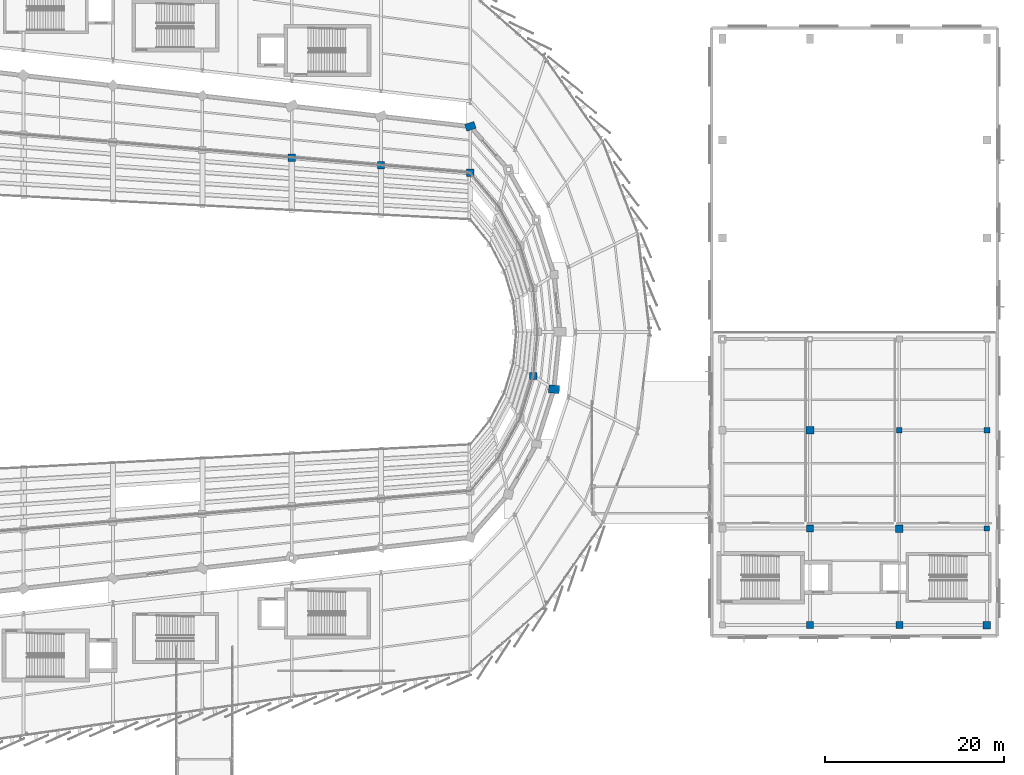
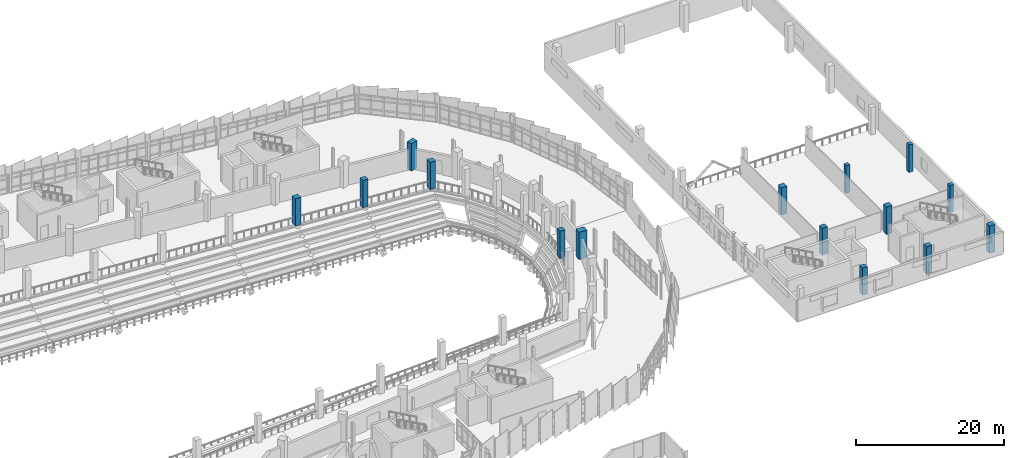
# One storey, part 20 of 134: 15 columns.
"""IFC4 building model written with IfcOpenShell, lengths in metres."""

import ifcopenshell
import ifcopenshell.guid

model = None  # the IFC model being written
_history = None  # IfcOwnerHistory: only IFC2X3 demands one
_inside = {}  # id of a spatial element -> (the spatial element, [elements in it])
_under = {}  # id of a project, library or spatial element -> (it, [spatial elements below it])
_declared = {}  # id of a project -> (the project, [libraries it declares])
_typed = {}  # id of a type object -> (the type object, [elements of that type])
_made_of = {}  # id of a material, layer set ... -> (it, [elements and type objects made of it])


def new_model(schema):
    """Start an empty IFC model of exactly this schema.

    Asked for "IFC4X3", IfcOpenShell would pick the latest addendum, in which some entities
    have other attributes; the version numbers below select the first issue.
    IFC2X3 requires an IfcOwnerHistory on every rooted entity: one is made here for all.
    """
    global model, _history
    if schema == "IFC4X3":
        model = ifcopenshell.file(schema_version=(4, 3, 0, 0))
    else:
        model = ifcopenshell.file(schema=schema)
    _inside.clear()
    _under.clear()
    _declared.clear()
    _typed.clear()
    _made_of.clear()
    _history = None
    if model.schema == "IFC2X3":
        org = make("IfcOrganization", Name="unknown")
        user = make(
            "IfcPersonAndOrganization",
            ThePerson=make("IfcPerson", FamilyName="unknown"),
            TheOrganization=org,
        )
        app = make(
            "IfcApplication",
            ApplicationDeveloper=org,
            Version="unknown",
            ApplicationFullName="unknown",
            ApplicationIdentifier="unknown",
        )
        _history = make(
            "IfcOwnerHistory",
            OwningUser=user,
            OwningApplication=app,
            ChangeAction="ADDED",
            CreationDate=0,
        )
    return model


def make(cls, **values):
    """One entity of the class cls with the attributes given. An attribute that is None is left unset."""
    return model.create_entity(
        cls, **{name: value for name, value in values.items() if value is not None}
    )


def rooted(cls, **values):
    """An entity with a GlobalId (a new one), such as an element, a storey or a relation."""
    return make(cls, GlobalId=ifcopenshell.guid.new(), OwnerHistory=_history, **values)


def si_unit(unit_type, name, prefix=None):
    """IfcSIUnit, for example si_unit("LENGTHUNIT", "METRE", prefix="MILLI")."""
    return make("IfcSIUnit", UnitType=unit_type, Prefix=prefix, Name=name)


def assignment(units):
    """IfcUnitAssignment: the units of a project."""
    return None if units is None else make("IfcUnitAssignment", Units=units)


def point(xyz):
    """IfcCartesianPoint."""
    return None if xyz is None else make("IfcCartesianPoint", Coordinates=xyz)


def direction(xyz):
    """IfcDirection."""
    return None if xyz is None else make("IfcDirection", DirectionRatios=xyz)


def frame(location, z_axis=None, x_axis=None):
    """IfcAxis2Placement3D, a coordinate frame: its origin and axes. An axis left out is left unset."""
    return make(
        "IfcAxis2Placement3D",
        Location=point(location),
        Axis=direction(z_axis),
        RefDirection=direction(x_axis),
    )


def frame_2d(location, x_axis=None):
    """IfcAxis2Placement2D, a coordinate frame in the plane: its origin and x axis."""
    return make(
        "IfcAxis2Placement2D", Location=point(location), RefDirection=direction(x_axis)
    )


def origin():
    """The frame at (0, 0, 0) with its axes left unset."""
    return frame((0.0, 0.0, 0.0))


def origin_2d():
    """The frame at (0, 0) in the plane with its x axis left unset."""
    return frame_2d((0.0, 0.0))


def place(relative_to, where):
    """IfcLocalPlacement: puts the frame where relative to a parent placement (None: the world)."""
    return make(
        "IfcLocalPlacement", PlacementRelTo=relative_to, RelativePlacement=where
    )


def context(
    kind, dimensions, precision=None, world=None, true_north=None, identifier=None
):
    """IfcGeometricRepresentationContext, for example the 3D "Model" context."""
    return make(
        "IfcGeometricRepresentationContext",
        ContextIdentifier=identifier,
        ContextType=kind,
        CoordinateSpaceDimension=dimensions,
        Precision=precision,
        WorldCoordinateSystem=world,
        TrueNorth=true_north,
    )


def subcontext(parent, identifier, kind, view, scale=None):
    """IfcGeometricRepresentationSubContext, for example "Body" below "Model"."""
    return make(
        "IfcGeometricRepresentationSubContext",
        ContextIdentifier=identifier,
        ContextType=kind,
        ParentContext=parent,
        TargetScale=scale,
        TargetView=view,
    )


def project(units=None, contexts=None):
    """IfcProject with its units and contexts."""
    return rooted(
        "IfcProject",
        Name="project",
        RepresentationContexts=contexts,
        UnitsInContext=assignment(units),
    )


def spatial(cls, under=None, at=None, **own):
    """A site, building, storey or space (cls), placed at a placement, below another one or the project."""
    s = rooted(cls, ObjectPlacement=at, **own)
    if under is not None:
        _under.setdefault(under.id(), (under, []))[1].append(s)
    return s


def profile(cls, at=None, kind="AREA", **sizes):
    """A parametric profile (cls). Its sizes go by their IFC names, for example OverallWidth=200.0."""
    return make(cls, ProfileType=kind, Position=at, **sizes)


def rectangle(**sizes):
    """IfcRectangleProfileDef."""
    return profile("IfcRectangleProfileDef", **sizes)


def extrude(swept, where, along, depth):
    """IfcExtrudedAreaSolid: the profile swept, set in the frame where, extruded along a direction by depth."""
    return make(
        "IfcExtrudedAreaSolid",
        SweptArea=swept,
        Position=where,
        ExtrudedDirection=direction(along),
        Depth=depth,
    )


def shape(context_of_items, identifier, shape_type, items):
    """IfcShapeRepresentation: the items that make up one representation, for example the "Body"."""
    return make(
        "IfcShapeRepresentation",
        ContextOfItems=context_of_items,
        RepresentationIdentifier=identifier,
        RepresentationType=shape_type,
        Items=items,
    )


def material(Name=None, Category=None):
    """IfcMaterial."""
    return make("IfcMaterial", Name=Name, Category=Category)


def material_profile(
    of_material, cross_section, Name=None, Category=None, Priority=None
):
    """IfcMaterialProfile: a cross section and its material."""
    return make(
        "IfcMaterialProfile",
        Name=Name,
        Material=of_material,
        Profile=cross_section,
        Priority=Priority,
        Category=Category,
    )


def profile_set(profiles, Name=None, composite=None):
    """IfcMaterialProfileSet."""
    return make(
        "IfcMaterialProfileSet",
        Name=Name,
        MaterialProfiles=profiles,
        CompositeProfile=composite,
    )


def made_of(thing, what):
    """Note that an element or type object is made of a material, layer set ...; save() writes the relation."""
    if what is not None:
        _made_of.setdefault(what.id(), (what, []))[1].append(thing)
    return thing


def type_object(cls, material=None, **own):
    """A type object (cls), such as IfcWallType, which elements share."""
    return made_of(rooted(cls, **own), material)


def element(
    cls,
    number,
    at=None,
    inside=None,
    cuts=None,
    type_object=None,
    material=None,
    context=None,
    identifier="Body",
    shape_type=None,
    held_by="IfcProductDefinitionShape",
    body=None,
    shapes=None,
    **own,
):
    """One element of the class cls, such as IfcWall. Its Tag is "e" and its number.

    at: its placement. inside: the storey or other place that contains it. cuts: it is an
    opening in that element (IfcRelVoidsElement). A single representation is given by context,
    identifier, shape_type and body (its items); several are given by shapes. held_by: the class
    of the entity that holds the representations. save() writes the other relations.
    """
    e = rooted(cls, Tag="e%d" % number, ObjectPlacement=at, **own)
    if body is not None:
        shapes = [shape(context, identifier, shape_type, body)]
    if shapes is not None:
        e.Representation = make(held_by, Representations=shapes)
    if inside is not None:
        _inside.setdefault(inside.id(), (inside, []))[1].append(e)
    if cuts is not None:
        rooted(
            "IfcRelVoidsElement", RelatingBuildingElement=cuts, RelatedOpeningElement=e
        )
    if type_object is not None:
        _typed.setdefault(type_object.id(), (type_object, []))[1].append(e)
    return made_of(e, material)


def aggregate(whole, parts):
    """IfcRelAggregates: a whole, such as a stair, and the parts it consists of."""
    return rooted("IfcRelAggregates", RelatingObject=whole, RelatedObjects=parts)


def save(model, path):
    """Write the relations noted so far, then the file.

    IfcRelAggregates (storeys below a building ...), IfcRelContainedInSpatialStructure (elements
    in a storey), IfcRelDefinesByType, IfcRelAssociatesMaterial and IfcRelDeclares: one each for
    every whole, place, type object, material and project.
    """
    for whole, parts in _under.values():
        aggregate(whole, parts)
    for where, things in _inside.values():
        rooted(
            "IfcRelContainedInSpatialStructure",
            RelatedElements=things,
            RelatingStructure=where,
        )
    for kind, things in _typed.values():
        rooted("IfcRelDefinesByType", RelatedObjects=things, RelatingType=kind)
    for what, things in _made_of.values():
        rooted("IfcRelAssociatesMaterial", RelatedObjects=things, RelatingMaterial=what)
    for by, libraries in _declared.values():
        rooted("IfcRelDeclares", RelatingContext=by, RelatedDefinitions=libraries)
    model.write(path)


model = new_model("IFC4")

# Units and contexts
model_context = context("Model", 3, precision=1e-05, world=origin(), true_north=direction((0.0, 1.0)))
body_context = subcontext(model_context, "Body", "Model", "MODEL_VIEW")
ifc_project = project(units=[si_unit("LENGTHUNIT", "METRE"), si_unit("AREAUNIT", "SQUARE_METRE"), si_unit("VOLUMEUNIT", "CUBIC_METRE"), si_unit("PLANEANGLEUNIT", "RADIAN"), si_unit("MASSUNIT", "GRAM", prefix="KILO")], contexts=[model_context])

# Site, building, storey
site_placement = place(None, origin())
site = spatial("IfcSite", under=ifc_project, at=site_placement, CompositionType="ELEMENT")
building_placement = place(site_placement, origin())
building = spatial("IfcBuilding", under=site, at=building_placement, Name="Sohan Crest Arena", CompositionType="ELEMENT")
storey_placement = place(building_placement, frame((0.0, 0.0, 4.5)))
storey = spatial("IfcBuildingStorey", under=building, at=storey_placement, Name="L01", CompositionType="ELEMENT", Elevation=4.5)

# Columns
ifc_material = material(Name="Concrete C40/50", Category="concrete")
ifc_material_profile_1 = material_profile(ifc_material, rectangle(XDim=0.60009765625, YDim=0.60009765625, at=origin_2d()), Name="RC 600x600")
ifc_profile_set_1 = profile_set([ifc_material_profile_1], Name="Concrete C40/50")
column_type_1 = type_object("IfcColumnType", Name="STR-COL-C01", PredefinedType="COLUMN", material=ifc_profile_set_1)
for number, where, z_axis, x_axis, name in (
    (1, (216.0, 67.0, 0.0), (0.0, 0.0, 1.0), (1.0, 0.0, 0.0), "Structural column COL-V4S-33-L01"),
    (2, (225.800048828125, 56.0, 0.0), (0.0, 0.0, 1.0), (1.0, 0.0, 0.0), "Structural column COL-V4S-42-L01"),
):
    element("IfcColumn", number, at=place(storey_placement, frame(where, z_axis=z_axis, x_axis=x_axis)), inside=storey, type_object=column_type_1, Name=name, PredefinedType="COLUMN", context=body_context, shape_type="SweptSolid", body=[
        extrude(rectangle(XDim=0.60009765625, YDim=0.60009765625, at=origin_2d()), origin(), (0.0, 0.0, 1.0), 4.5),
    ])
ifc_material_profile_2 = material_profile(ifc_material, rectangle(XDim=0.64990234375, YDim=0.64990234375, at=origin_2d()), Name="RC 650x650")
ifc_profile_set_2 = profile_set([ifc_material_profile_2], Name="Concrete C40/50")
column_type_2 = type_object("IfcColumnType", Name="STR-COL-C02", PredefinedType="COLUMN", material=ifc_profile_set_2)
column_1_placement = place(storey_placement, frame((225.800048828125, 67.0, 0.0), z_axis=(0.0, 0.0, 1.0), x_axis=(1.0, 0.0, 0.0)))
element("IfcColumn", 3, at=column_1_placement, inside=storey, type_object=column_type_2, Name="Structural column COL-V4S-43-L01", PredefinedType="COLUMN", context=body_context, shape_type="SweptSolid", body=[
    extrude(rectangle(XDim=0.64990234375, YDim=0.64990234375, at=origin_2d()), origin(), (0.0, 0.0, 1.0), 4.5),
])
ifc_material_profile_3 = material_profile(ifc_material, rectangle(XDim=0.75, YDim=0.75, at=origin_2d()), Name="RC 750x750")
ifc_profile_set_3 = profile_set([ifc_material_profile_3], Name="Concrete C40/50")
column_type_3 = type_object("IfcColumnType", Name="STR-COL-C04", PredefinedType="COLUMN", material=ifc_profile_set_3)
column_2_placement = place(storey_placement, frame((206.0, 45.199951171875, 0.0), z_axis=(0.0, 0.0, 1.0), x_axis=(1.0, 0.0, 0.0)))
element("IfcColumn", 4, at=column_2_placement, inside=storey, type_object=column_type_3, Name="Structural column COL-V4S-21-L01", PredefinedType="COLUMN", context=body_context, shape_type="SweptSolid", body=[
    extrude(rectangle(XDim=0.75, YDim=0.75, at=origin_2d()), origin(), (0.0, 0.0, 1.0), 4.5),
])
ifc_material_profile_4 = material_profile(ifc_material, rectangle(XDim=0.800048828125, YDim=0.800048828125, at=origin_2d()), Name="RC 800x800")
ifc_profile_set_4 = profile_set([ifc_material_profile_4], Name="Concrete C40/50")
column_type_4 = type_object("IfcColumnType", Name="STR-COL-C05", PredefinedType="COLUMN", material=ifc_profile_set_4)
for number, where, z_axis, x_axis, name in (
    (5, (175.037109375, 73.070068359375, 0.0), (0.0, 0.0, 1.0), (1.0, 0.0, 0.0), "Structural column COL-V1M-23-L01"),
    (6, (158.0, 96.656982421875, 0.0), (0.0, 0.0, 1.0), (1.0, 0.0, 0.0), "Structural column COL-V1M-29-L01"),
    (7, (206.0, 56.0, 0.0), (0.0, 0.0, 1.0), (1.0, 0.0, 0.0), "Structural column COL-V4S-22-L01"),
    (8, (216.0, 45.199951171875, 0.0), (0.0, 0.0, 1.0), (1.0, 0.0, 0.0), "Structural column COL-V4S-31-L01"),
):
    element("IfcColumn", number, at=place(storey_placement, frame(where, z_axis=z_axis, x_axis=x_axis)), inside=storey, type_object=column_type_4, Name=name, PredefinedType="COLUMN", context=body_context, shape_type="SweptSolid", body=[
        extrude(rectangle(XDim=0.800048828125, YDim=0.800048828125, at=origin_2d()), origin(), (0.0, 0.0, 1.0), 4.5),
    ])
ifc_material_profile_5 = material_profile(ifc_material, rectangle(XDim=0.85009765625, YDim=0.85009765625, at=origin_2d()), Name="RC 850x850")
ifc_profile_set_5 = profile_set([ifc_material_profile_5], Name="Concrete C40/50")
column_type_5 = type_object("IfcColumnType", Name="STR-COL-C06", PredefinedType="COLUMN", material=ifc_profile_set_5)
for number, where, z_axis, x_axis, name in (
    (9, (168.0, 95.800048828125, 0.0), (0.0, 0.0, 1.0), (1.0, 0.0, 0.0), "Structural column COL-V1M-28-L01"),
    (10, (148.0, 97.513916015625, 0.0), (0.0, 0.0, 1.0), (1.0, 0.0, 0.0), "Structural column COL-V1M-30-L01"),
    (11, (206.0, 67.0, 0.0), (0.0, 0.0, 1.0), (1.0, 0.0, 0.0), "Structural column COL-V4S-23-L01"),
    (12, (216.0, 56.0, 0.0), (0.0, 0.0, 1.0), (1.0, 0.0, 0.0), "Structural column COL-V4S-32-L01"),
    (13, (225.800048828125, 45.199951171875, 0.0), (0.0, 0.0, 1.0), (1.0, 0.0, 0.0), "Structural column COL-V4S-41-L01"),
):
    element("IfcColumn", number, at=place(storey_placement, frame(where, z_axis=z_axis, x_axis=x_axis)), inside=storey, type_object=column_type_5, Name=name, PredefinedType="COLUMN", context=body_context, shape_type="SweptSolid", body=[
        extrude(rectangle(XDim=0.85009765625, YDim=0.85009765625, at=origin_2d()), origin(), (0.0, 0.0, 1.0), 4.5),
    ])
ifc_material_profile_6 = material_profile(ifc_material, rectangle(XDim=1.10009765625, YDim=0.800048828125, at=origin_2d()), Name="RC 1100x800")
ifc_profile_set_6 = profile_set([ifc_material_profile_6], Name="Concrete C40/50")
column_type_6 = type_object("IfcColumnType", Name="STR-COL-C10", PredefinedType="COLUMN", material=ifc_profile_set_6)
column_3_placement = place(storey_placement, frame((168.0, 101.0, 0.0), z_axis=(0.0, 0.0, 1.0), x_axis=(0.949972051525, 0.312334918512, 0.0)))
element("IfcColumn", 14, at=column_3_placement, inside=storey, type_object=column_type_6, Name="Structural column COL-V1R-28-L01", PredefinedType="COLUMN", context=body_context, shape_type="SweptSolid", body=[
    extrude(rectangle(XDim=1.10009765625, YDim=0.800048828125, at=origin_2d()), origin(), (0.0, 0.0, 1.0), 4.5),
])
ifc_material_profile_7 = material_profile(ifc_material, rectangle(XDim=1.199951171875, YDim=0.89990234375, at=origin_2d()), Name="RC 1200x900")
ifc_profile_set_7 = profile_set([ifc_material_profile_7], Name="Concrete C40/50")
column_type_7 = type_object("IfcColumnType", Name="STR-COL-C11", PredefinedType="COLUMN", material=ifc_profile_set_7)
column_4_placement = place(storey_placement, frame((177.363037109375, 71.593017578125, 0.0), z_axis=(0.0, 0.0, 1.0), x_axis=(-0.996778878456, 0.080198924329, 0.0)))
element("IfcColumn", 15, at=column_4_placement, inside=storey, type_object=column_type_7, Name="Structural column COL-V1R-23-L01", PredefinedType="COLUMN", context=body_context, shape_type="SweptSolid", body=[
    extrude(rectangle(XDim=1.199951171875, YDim=0.89990234375, at=origin_2d()), origin(), (0.0, 0.0, 1.0), 4.5),
])

save(model, "model.ifc")
